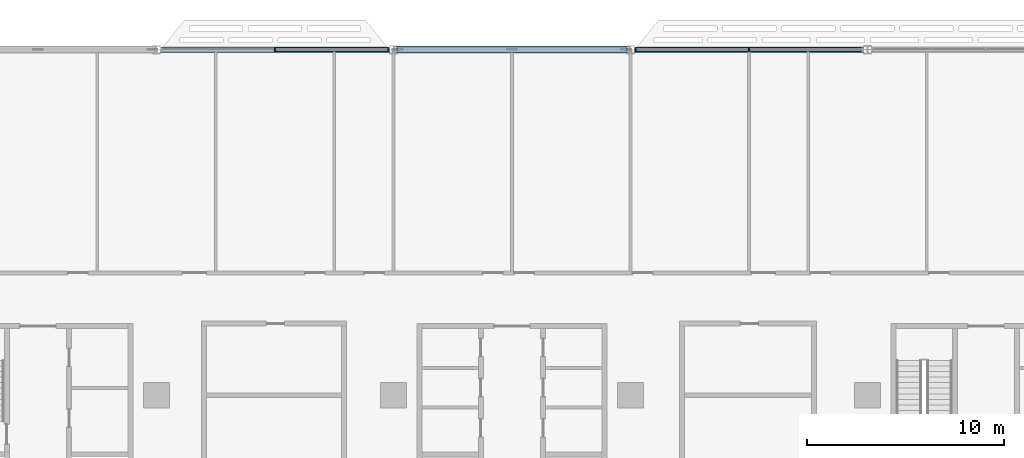
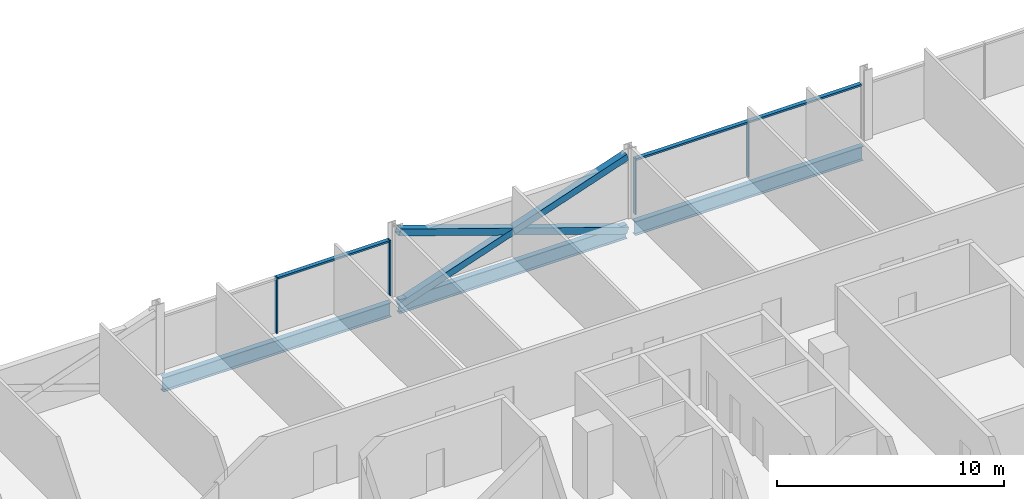
# One storey, part 7 of 29: 10 members, 3 beams, 2 elements without a shape of their own.
"""IFC4 building model written with IfcOpenShell, lengths in metres."""

from ifc_helpers import new_model, si_unit, direction, frame, origin, origin_2d, place, context, subcontext, project, spatial, rectangle, hollow_rectangle, i_section, extrude, material, material_profile, profile_set, type_object, element, aggregate, save


model = new_model("IFC4")

# Units and contexts
model_context = context("Model", 3, precision=1e-05, world=origin(), true_north=direction((0.0, 1.0)))
body_context = subcontext(model_context, "Body", "Model", "MODEL_VIEW")
ifc_project = project(units=[si_unit("LENGTHUNIT", "METRE"), si_unit("AREAUNIT", "SQUARE_METRE"), si_unit("VOLUMEUNIT", "CUBIC_METRE"), si_unit("PLANEANGLEUNIT", "RADIAN"), si_unit("MASSUNIT", "GRAM", prefix="KILO")], contexts=[model_context])

# Site, building, storey
site_placement = place(None, origin())
site = spatial("IfcSite", under=ifc_project, at=site_placement, CompositionType="ELEMENT")
building_placement = place(site_placement, origin())
building = spatial("IfcBuilding", under=site, at=building_placement, Name="Mahtab Terrace Research Tower", CompositionType="ELEMENT")
storey_placement = place(building_placement, frame((0.0, 0.0, 142.5)))
storey = spatial("IfcBuildingStorey", under=building, at=storey_placement, Name="L33", CompositionType="ELEMENT", Elevation=142.5)

# Members
ifc_material_1 = material(Name="Steel ASTM A500 Gr C", Category="steel")
ifc_material_profile_1 = material_profile(ifc_material_1, hollow_rectangle(XDim=0.355712890625, YDim=0.355712890625, WallThickness=0.01904296875, at=origin_2d()), Name="HSS14X14X3/4")
ifc_profile_set_1 = profile_set([ifc_material_profile_1], Name="Steel ASTM A500 Gr C")
member_type_1 = type_object("IfcMemberType", Name="HSS 14x14x3/4 brace XB141434", PredefinedType="BRACE", material=ifc_profile_set_1)
member_1_placement = place(storey_placement, frame((5.794189453125, 29.0, -0.648193359375), z_axis=(-0.946288278, 0.0, 0.323324132908), x_axis=(0.0, -1.0, 0.0)))
element("IfcMember", 1, at=member_1_placement, inside=storey, type_object=member_type_1, Name="Exoskeleton brace L33 04 a", PredefinedType="BRACE", context=body_context, shape_type="SweptSolid", body=[
    extrude(hollow_rectangle(XDim=0.355712890625, YDim=0.355712890625, WallThickness=0.01904296875, at=origin_2d()), origin(), (0.0, 0.0, 1.0), 12.24609375),
])
for number, where, z_axis, x_axis, name in (
    (2, (-5.794189453125, 29.0, -0.648193359375), (0.946288278, 0.0, 0.323324132908), (0.0, 1.0, 0.0), "Exoskeleton brace L33 04 b1"),
    (3, (0.0, 29.0, 1.33154296875), (0.946288278, 0.0, 0.323324132908), (0.0, 1.0, 0.0), "Exoskeleton brace L33 04 b2"),
):
    element("IfcMember", number, at=place(storey_placement, frame(where, z_axis=z_axis, x_axis=x_axis)), inside=storey, type_object=member_type_1, Name=name, PredefinedType="BRACE", context=body_context, shape_type="SweptSolid", body=[
        extrude(hollow_rectangle(XDim=0.355712890625, YDim=0.355712890625, WallThickness=0.01904296875, at=origin_2d()), origin(), (0.0, 0.0, 1.0), 6.123046875),
    ])

# Curtain wall, members
ifc_material_2 = material(Name="Laboratory ribbon curtain wall")
curtain_wall_type = type_object("IfcCurtainWallType", Name="Laboratory ribbon curtain wall", PredefinedType="NOTDEFINED", material=ifc_material_2)
curtain_wall_1_placement = place(storey_placement, origin())
curtain_wall_1 = element("IfcCurtainWall", 4, at=curtain_wall_1_placement, inside=storey, type_object=curtain_wall_type, Name="EN.L33.3.5", PredefinedType="NOTDEFINED")
ifc_material_3 = material(Name="Natural anodised aluminium", Category="aluminium")
ifc_material_profile_2 = material_profile(ifc_material_3, rectangle(XDim=0.199951171875, YDim=0.06494140625, at=origin_2d()), Name="MULLION 65x200")
ifc_profile_set_2 = profile_set([ifc_material_profile_2], Name="Natural anodised aluminium")
member_type_2 = type_object("IfcMemberType", Name="Laboratory ribbon curtain wall mullion", PredefinedType="MULLION", material=ifc_profile_set_2)
member_2_placement = place(storey_placement, frame((12.0, 29.0, 0.0), z_axis=(0.0, 0.0, 1.0), x_axis=(0.0, -1.0, 0.0)))
member_2 = element("IfcMember", 5, at=member_2_placement, type_object=member_type_2, Name="CWL-4 mullion 2", PredefinedType="MULLION", context=body_context, shape_type="SweptSolid", body=[
    extrude(rectangle(XDim=0.199951171875, YDim=0.06494140625, at=origin_2d()), origin(), (0.0, 0.0, 1.0), 3.003173828125),
])
member_3_placement = place(storey_placement, frame((6.25048828125, 29.0, 0.0), z_axis=(0.0, 0.0, 1.0), x_axis=(0.0, -1.0, 0.0)))
member_3 = element("IfcMember", 6, at=member_3_placement, type_object=member_type_2, Name="CWL-4 mullion 3", PredefinedType="MULLION", context=body_context, shape_type="SweptSolid", body=[
    extrude(rectangle(XDim=0.199951171875, YDim=0.06494140625, at=origin_2d()), origin(), (0.0, 0.0, 1.0), 3.003173828125),
])

curtain_wall_2_placement = place(storey_placement, origin())
curtain_wall_2 = element("IfcCurtainWall", 7, at=curtain_wall_2_placement, inside=storey, type_object=curtain_wall_type, Name="EN.L33.3.7", PredefinedType="NOTDEFINED")
member_4_placement = place(storey_placement, frame((-6.25048828125, 29.0, 0.0), z_axis=(0.0, 0.0, 1.0), x_axis=(0.0, -1.0, 0.0)))
member_4 = element("IfcMember", 8, at=member_4_placement, type_object=member_type_2, Name="CWL-4 mullion 1", PredefinedType="MULLION", context=body_context, shape_type="SweptSolid", body=[
    extrude(rectangle(XDim=0.199951171875, YDim=0.06494140625, at=origin_2d()), origin(), (0.0, 0.0, 1.0), 3.003173828125),
])
member_5_placement = place(storey_placement, frame((-12.0, 29.0, 0.0), z_axis=(0.0, 0.0, 1.0), x_axis=(0.0, -1.0, 0.0)))
member_5 = element("IfcMember", 9, at=member_5_placement, type_object=member_type_2, Name="CWL-4 mullion 2", PredefinedType="MULLION", context=body_context, shape_type="SweptSolid", body=[
    extrude(rectangle(XDim=0.199951171875, YDim=0.06494140625, at=origin_2d()), origin(), (0.0, 0.0, 1.0), 3.003173828125),
])

# Member
ifc_material_profile_3 = material_profile(ifc_material_3, rectangle(XDim=0.199951171875, YDim=0.10009765625, at=origin_2d()), Name="TRANSOM 100x200")
ifc_profile_set_3 = profile_set([ifc_material_profile_3], Name="Natural anodised aluminium")
member_type_3 = type_object("IfcMemberType", Name="Laboratory ribbon curtain wall transom", PredefinedType="USERDEFINED", material=ifc_profile_set_3)
member_6_placement = place(storey_placement, frame((17.717041015625, 29.0, 2.953125), z_axis=(-1.0, 0.0, 0.0), x_axis=(0.0, -1.0, 0.0)))
member_6 = element("IfcMember", 10, at=member_6_placement, type_object=member_type_3, Name="CWL-4 transom 1", ObjectType="TRANSOM", PredefinedType="USERDEFINED", context=body_context, shape_type="SweptSolid", body=[
    extrude(rectangle(XDim=0.199951171875, YDim=0.10009765625, at=origin_2d()), origin(), (0.0, 0.0, 1.0), 5.6845703125),
])

member_7_placement = place(storey_placement, frame((11.967529296875, 29.0, 2.953125), z_axis=(-1.0, 0.0, 0.0), x_axis=(0.0, -1.0, 0.0)))
member_7 = element("IfcMember", 11, at=member_7_placement, type_object=member_type_3, Name="CWL-4 transom 2", ObjectType="TRANSOM", PredefinedType="USERDEFINED", context=body_context, shape_type="SweptSolid", body=[
    extrude(rectangle(XDim=0.199951171875, YDim=0.10009765625, at=origin_2d()), origin(), (0.0, 0.0, 1.0), 5.6845703125),
])

aggregate(curtain_wall_1, [member_2, member_3, member_6, member_7])

member_8_placement = place(storey_placement, frame((-6.282958984375, 29.0, 2.953125), z_axis=(-1.0, 0.0, 0.0), x_axis=(0.0, -1.0, 0.0)))
member_8 = element("IfcMember", 12, at=member_8_placement, type_object=member_type_3, Name="CWL-4 transom 1", ObjectType="TRANSOM", PredefinedType="USERDEFINED", context=body_context, shape_type="SweptSolid", body=[
    extrude(rectangle(XDim=0.199951171875, YDim=0.10009765625, at=origin_2d()), origin(), (0.0, 0.0, 1.0), 5.6845703125),
])

aggregate(curtain_wall_2, [member_4, member_5, member_8])

# Beams
ifc_material_4 = material(Name="Steel ASTM A992 Gr 50", Category="steel")
ifc_material_profile_4 = material_profile(ifc_material_4, i_section(OverallWidth=0.2666015625, OverallDepth=0.7568359375, WebThickness=0.013916015625, FlangeThickness=0.019287109375, at=origin_2d()), Name="W30X108")
ifc_profile_set_4 = profile_set([ifc_material_profile_4], Name="Steel ASTM A992 Gr 50")
beam_type = type_object("IfcBeamType", Name="W30x108 beam BS30108", PredefinedType="BEAM", material=ifc_profile_set_4)
for number, where, z_axis, x_axis, name in (
    (13, (17.794189453125, 29.0, -0.718505859375), (-1.0, 0.0, 0.0), (0.0, -1.0, 0.0), "Spandrel beam L33 03"),
    (14, (5.794189453125, 29.0, -0.718505859375), (-1.0, 0.0, 0.0), (0.0, -1.0, 0.0), "Spandrel beam L33 04"),
    (15, (-6.205810546875, 29.0, -0.718505859375), (-1.0, 0.0, 0.0), (0.0, -1.0, 0.0), "Spandrel beam L33 05"),
):
    element("IfcBeam", number, at=place(storey_placement, frame(where, z_axis=z_axis, x_axis=x_axis)), inside=storey, type_object=beam_type, Name=name, PredefinedType="BEAM", context=body_context, shape_type="SweptSolid", body=[
        extrude(i_section(OverallWidth=0.2666015625, OverallDepth=0.7568359375, WebThickness=0.013916015625, FlangeThickness=0.019287109375, at=origin_2d()), origin(), (0.0, 0.0, 1.0), 11.58837890625),
    ])

save(model, "model.ifc")
